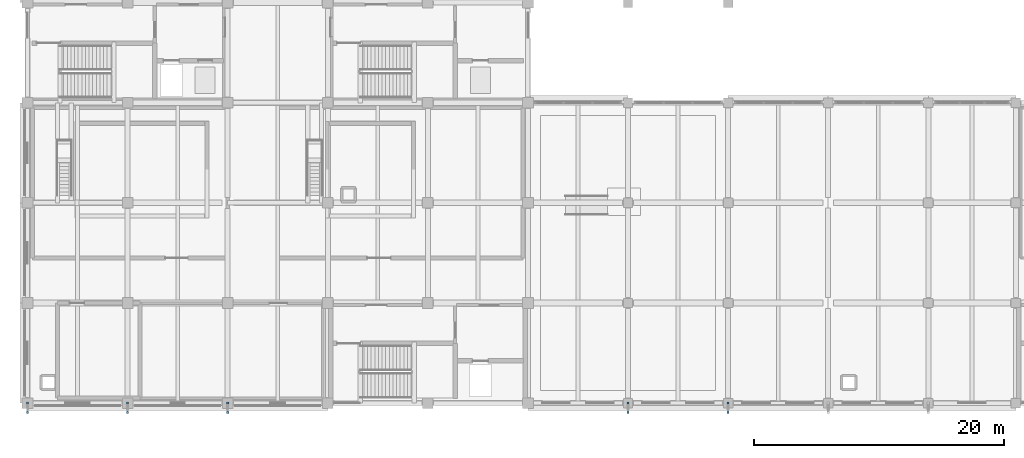
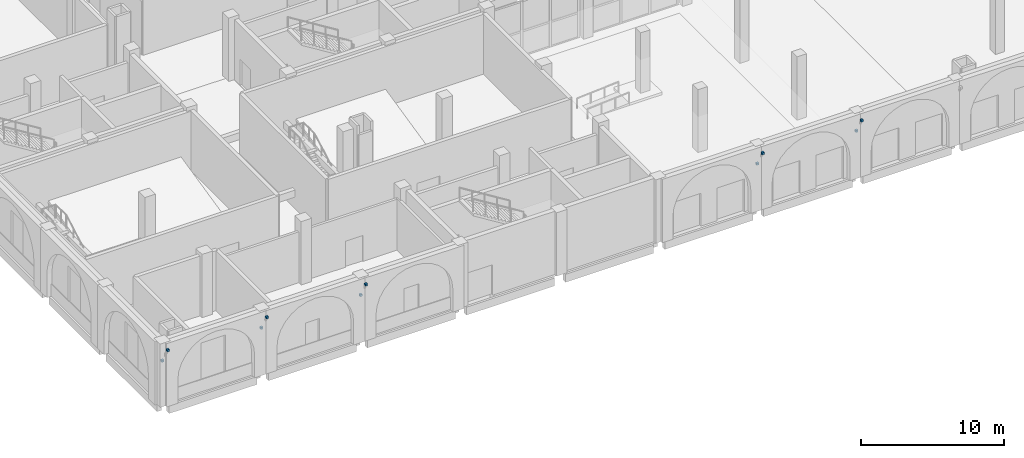
# One storey, part 27 of 40: 10 discrete accessories.
"""IFC4 building model written with IfcOpenShell, lengths in metres."""

import ifcopenshell
import ifcopenshell.guid

model = None  # the IFC model being written
_history = None  # IfcOwnerHistory: only IFC2X3 demands one
_inside = {}  # id of a spatial element -> (the spatial element, [elements in it])
_under = {}  # id of a project, library or spatial element -> (it, [spatial elements below it])
_declared = {}  # id of a project -> (the project, [libraries it declares])
_typed = {}  # id of a type object -> (the type object, [elements of that type])
_made_of = {}  # id of a material, layer set ... -> (it, [elements and type objects made of it])


def new_model(schema):
    """Start an empty IFC model of exactly this schema.

    Asked for "IFC4X3", IfcOpenShell would pick the latest addendum, in which some entities
    have other attributes; the version numbers below select the first issue.
    IFC2X3 requires an IfcOwnerHistory on every rooted entity: one is made here for all.
    """
    global model, _history
    if schema == "IFC4X3":
        model = ifcopenshell.file(schema_version=(4, 3, 0, 0))
    else:
        model = ifcopenshell.file(schema=schema)
    _inside.clear()
    _under.clear()
    _declared.clear()
    _typed.clear()
    _made_of.clear()
    _history = None
    if model.schema == "IFC2X3":
        org = make("IfcOrganization", Name="unknown")
        user = make(
            "IfcPersonAndOrganization",
            ThePerson=make("IfcPerson", FamilyName="unknown"),
            TheOrganization=org,
        )
        app = make(
            "IfcApplication",
            ApplicationDeveloper=org,
            Version="unknown",
            ApplicationFullName="unknown",
            ApplicationIdentifier="unknown",
        )
        _history = make(
            "IfcOwnerHistory",
            OwningUser=user,
            OwningApplication=app,
            ChangeAction="ADDED",
            CreationDate=0,
        )
    return model


def make(cls, **values):
    """One entity of the class cls with the attributes given. An attribute that is None is left unset."""
    return model.create_entity(
        cls, **{name: value for name, value in values.items() if value is not None}
    )


def rooted(cls, **values):
    """An entity with a GlobalId (a new one), such as an element, a storey or a relation."""
    return make(cls, GlobalId=ifcopenshell.guid.new(), OwnerHistory=_history, **values)


def si_unit(unit_type, name, prefix=None):
    """IfcSIUnit, for example si_unit("LENGTHUNIT", "METRE", prefix="MILLI")."""
    return make("IfcSIUnit", UnitType=unit_type, Prefix=prefix, Name=name)


def assignment(units):
    """IfcUnitAssignment: the units of a project."""
    return None if units is None else make("IfcUnitAssignment", Units=units)


def point(xyz):
    """IfcCartesianPoint."""
    return None if xyz is None else make("IfcCartesianPoint", Coordinates=xyz)


def direction(xyz):
    """IfcDirection."""
    return None if xyz is None else make("IfcDirection", DirectionRatios=xyz)


def frame(location, z_axis=None, x_axis=None):
    """IfcAxis2Placement3D, a coordinate frame: its origin and axes. An axis left out is left unset."""
    return make(
        "IfcAxis2Placement3D",
        Location=point(location),
        Axis=direction(z_axis),
        RefDirection=direction(x_axis),
    )


def frame_2d(location, x_axis=None):
    """IfcAxis2Placement2D, a coordinate frame in the plane: its origin and x axis."""
    return make(
        "IfcAxis2Placement2D", Location=point(location), RefDirection=direction(x_axis)
    )


def origin():
    """The frame at (0, 0, 0) with its axes left unset."""
    return frame((0.0, 0.0, 0.0))


def origin_2d():
    """The frame at (0, 0) in the plane with its x axis left unset."""
    return frame_2d((0.0, 0.0))


def place(relative_to, where):
    """IfcLocalPlacement: puts the frame where relative to a parent placement (None: the world)."""
    return make(
        "IfcLocalPlacement", PlacementRelTo=relative_to, RelativePlacement=where
    )


def context(
    kind, dimensions, precision=None, world=None, true_north=None, identifier=None
):
    """IfcGeometricRepresentationContext, for example the 3D "Model" context."""
    return make(
        "IfcGeometricRepresentationContext",
        ContextIdentifier=identifier,
        ContextType=kind,
        CoordinateSpaceDimension=dimensions,
        Precision=precision,
        WorldCoordinateSystem=world,
        TrueNorth=true_north,
    )


def subcontext(parent, identifier, kind, view, scale=None):
    """IfcGeometricRepresentationSubContext, for example "Body" below "Model"."""
    return make(
        "IfcGeometricRepresentationSubContext",
        ContextIdentifier=identifier,
        ContextType=kind,
        ParentContext=parent,
        TargetScale=scale,
        TargetView=view,
    )


def project(units=None, contexts=None):
    """IfcProject with its units and contexts."""
    return rooted(
        "IfcProject",
        Name="project",
        RepresentationContexts=contexts,
        UnitsInContext=assignment(units),
    )


def spatial(cls, under=None, at=None, **own):
    """A site, building, storey or space (cls), placed at a placement, below another one or the project."""
    s = rooted(cls, ObjectPlacement=at, **own)
    if under is not None:
        _under.setdefault(under.id(), (under, []))[1].append(s)
    return s


def profile(cls, at=None, kind="AREA", **sizes):
    """A parametric profile (cls). Its sizes go by their IFC names, for example OverallWidth=200.0."""
    return make(cls, ProfileType=kind, Position=at, **sizes)


def rectangle(**sizes):
    """IfcRectangleProfileDef."""
    return profile("IfcRectangleProfileDef", **sizes)


def extrude(swept, where, along, depth):
    """IfcExtrudedAreaSolid: the profile swept, set in the frame where, extruded along a direction by depth."""
    return make(
        "IfcExtrudedAreaSolid",
        SweptArea=swept,
        Position=where,
        ExtrudedDirection=direction(along),
        Depth=depth,
    )


def shape(context_of_items, identifier, shape_type, items):
    """IfcShapeRepresentation: the items that make up one representation, for example the "Body"."""
    return make(
        "IfcShapeRepresentation",
        ContextOfItems=context_of_items,
        RepresentationIdentifier=identifier,
        RepresentationType=shape_type,
        Items=items,
    )


def material(Name=None, Category=None):
    """IfcMaterial."""
    return make("IfcMaterial", Name=Name, Category=Category)


def made_of(thing, what):
    """Note that an element or type object is made of a material, layer set ...; save() writes the relation."""
    if what is not None:
        _made_of.setdefault(what.id(), (what, []))[1].append(thing)
    return thing


def type_object(cls, material=None, **own):
    """A type object (cls), such as IfcWallType, which elements share."""
    return made_of(rooted(cls, **own), material)


def element(
    cls,
    number,
    at=None,
    inside=None,
    cuts=None,
    type_object=None,
    material=None,
    context=None,
    identifier="Body",
    shape_type=None,
    held_by="IfcProductDefinitionShape",
    body=None,
    shapes=None,
    **own,
):
    """One element of the class cls, such as IfcWall. Its Tag is "e" and its number.

    at: its placement. inside: the storey or other place that contains it. cuts: it is an
    opening in that element (IfcRelVoidsElement). A single representation is given by context,
    identifier, shape_type and body (its items); several are given by shapes. held_by: the class
    of the entity that holds the representations. save() writes the other relations.
    """
    e = rooted(cls, Tag="e%d" % number, ObjectPlacement=at, **own)
    if body is not None:
        shapes = [shape(context, identifier, shape_type, body)]
    if shapes is not None:
        e.Representation = make(held_by, Representations=shapes)
    if inside is not None:
        _inside.setdefault(inside.id(), (inside, []))[1].append(e)
    if cuts is not None:
        rooted(
            "IfcRelVoidsElement", RelatingBuildingElement=cuts, RelatedOpeningElement=e
        )
    if type_object is not None:
        _typed.setdefault(type_object.id(), (type_object, []))[1].append(e)
    return made_of(e, material)


def aggregate(whole, parts):
    """IfcRelAggregates: a whole, such as a stair, and the parts it consists of."""
    return rooted("IfcRelAggregates", RelatingObject=whole, RelatedObjects=parts)


def save(model, path):
    """Write the relations noted so far, then the file.

    IfcRelAggregates (storeys below a building ...), IfcRelContainedInSpatialStructure (elements
    in a storey), IfcRelDefinesByType, IfcRelAssociatesMaterial and IfcRelDeclares: one each for
    every whole, place, type object, material and project.
    """
    for whole, parts in _under.values():
        aggregate(whole, parts)
    for where, things in _inside.values():
        rooted(
            "IfcRelContainedInSpatialStructure",
            RelatedElements=things,
            RelatingStructure=where,
        )
    for kind, things in _typed.values():
        rooted("IfcRelDefinesByType", RelatedObjects=things, RelatingType=kind)
    for what, things in _made_of.values():
        rooted("IfcRelAssociatesMaterial", RelatedObjects=things, RelatingMaterial=what)
    for by, libraries in _declared.values():
        rooted("IfcRelDeclares", RelatingContext=by, RelatedDefinitions=libraries)
    model.write(path)


model = new_model("IFC4")

# Units and contexts
model_context = context("Model", 3, precision=1e-05, world=origin(), true_north=direction((0.0, 1.0)))
body_context = subcontext(model_context, "Body", "Model", "MODEL_VIEW")
ifc_project = project(units=[si_unit("LENGTHUNIT", "METRE"), si_unit("AREAUNIT", "SQUARE_METRE"), si_unit("VOLUMEUNIT", "CUBIC_METRE"), si_unit("PLANEANGLEUNIT", "RADIAN"), si_unit("MASSUNIT", "GRAM", prefix="KILO")], contexts=[model_context])

# Site, building, storey
site_placement = place(None, origin())
site = spatial("IfcSite", under=ifc_project, at=site_placement, CompositionType="ELEMENT")
building_placement = place(site_placement, origin())
building = spatial("IfcBuilding", under=site, at=building_placement, Name="Qorikala Patio Media Centre", CompositionType="ELEMENT")
storey_placement = place(building_placement, origin())
storey = spatial("IfcBuildingStorey", under=building, at=storey_placement, Name="L00", CompositionType="ELEMENT", Elevation=0.0)

# Discrete accessories
ifc_material = material(Name="Steel S355", Category="steel")
discrete_accessory_type = type_object("IfcDiscreteAccessoryType", Name="ACC-BRACKET", PredefinedType="BRACKET", material=ifc_material)
for number, where, z_axis, x_axis, name in (
    (1, (3.0, 3.0, 3.51025390625), (0.0, 0.0, 1.0), (1.0, 0.0, 0.0), "L00 Brace End Bolted Connection Bracket 0209"),
    (2, (3.0, 2.25, 4.85986328125), (0.0, 0.0, 1.0), (1.0, 0.0, 0.0), "L00 Brace End Bolted Connection Bracket 0210"),
    (3, (11.0, 3.0, 3.51025390625), (0.0, 0.0, 1.0), (1.0, 0.0, 0.0), "L00 Brace End Bolted Connection Bracket 0211"),
    (4, (11.0, 2.25, 4.85986328125), (0.0, 0.0, 1.0), (1.0, 0.0, 0.0), "L00 Brace End Bolted Connection Bracket 0212"),
    (5, (19.0, 3.0, 3.51025390625), (0.0, 0.0, 1.0), (1.0, 0.0, 0.0), "L00 Brace End Bolted Connection Bracket 0213"),
    (6, (19.0, 2.25, 4.85986328125), (0.0, 0.0, 1.0), (1.0, 0.0, 0.0), "L00 Brace End Bolted Connection Bracket 0214"),
    (7, (51.0, 3.0, 3.51025390625), (0.0, 0.0, 1.0), (1.0, 0.0, 0.0), "L00 Brace End Bolted Connection Bracket 0215"),
    (8, (51.0, 2.25, 4.85986328125), (0.0, 0.0, 1.0), (1.0, 0.0, 0.0), "L00 Brace End Bolted Connection Bracket 0216"),
    (9, (59.0, 3.0, 3.51025390625), (0.0, 0.0, 1.0), (1.0, 0.0, 0.0), "L00 Brace End Bolted Connection Bracket 0217"),
    (10, (59.0, 2.25, 4.85986328125), (0.0, 0.0, 1.0), (1.0, 0.0, 0.0), "L00 Brace End Bolted Connection Bracket 0218"),
):
    element("IfcDiscreteAccessory", number, at=place(storey_placement, frame(where, z_axis=z_axis, x_axis=x_axis)), inside=storey, type_object=discrete_accessory_type, Name=name, PredefinedType="BRACKET", context=body_context, shape_type="SweptSolid", body=[
        extrude(rectangle(XDim=0.179931640625, YDim=0.179931640625, at=origin_2d()), origin(), (0.0, 0.0, 1.0), 0.179931640625),
    ])

save(model, "model.ifc")
